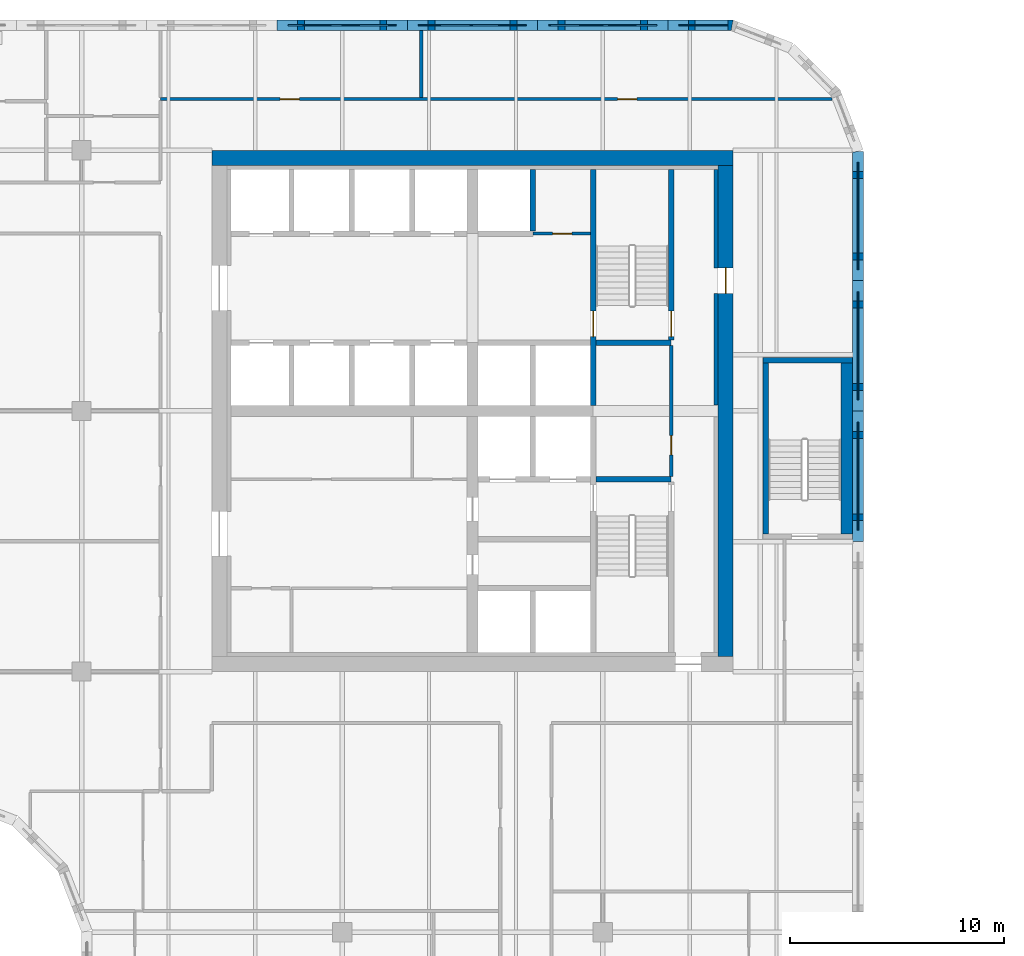
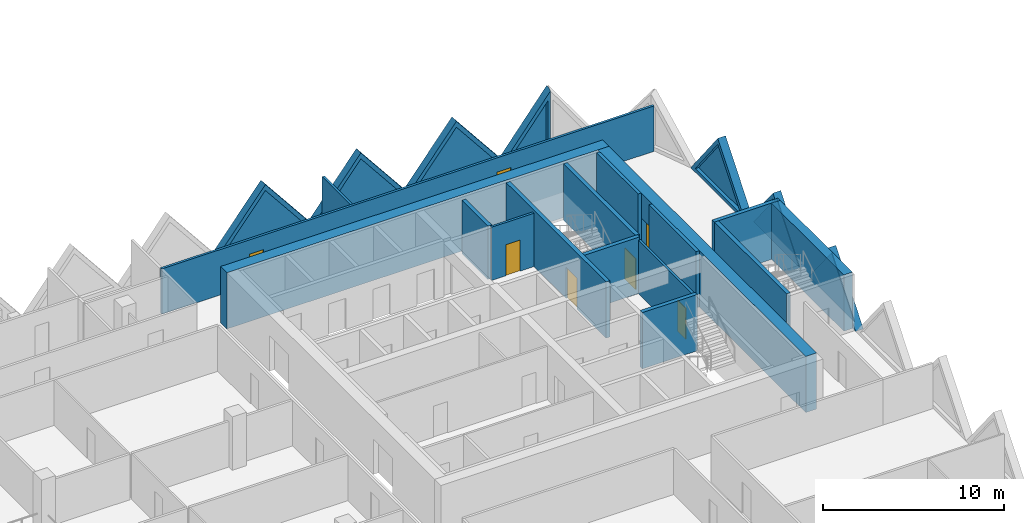
# One storey, part 10 of 17: 23 walls, 7 doors, 7 plates, 14 openings.
"""IFC4 building model written with IfcOpenShell, lengths in metres."""

from ifc_helpers import new_model, si_unit, direction, frame, frame_2d, origin, place, context, subcontext, project, spatial, polyline, rectangle, outline, extrude, faceted_brep, source, transform, mapped, material, layer, layer_set, type_object, element, fill, save


model = new_model("IFC4")

# Units and contexts
model_context = context("Model", 3, precision=1e-05, world=origin(), true_north=direction((0.0, 1.0)))
body_context = subcontext(model_context, "Body", "Model", "MODEL_VIEW")
ifc_project = project(units=[si_unit("LENGTHUNIT", "METRE"), si_unit("AREAUNIT", "SQUARE_METRE"), si_unit("VOLUMEUNIT", "CUBIC_METRE"), si_unit("PLANEANGLEUNIT", "RADIAN"), si_unit("MASSUNIT", "GRAM", prefix="KILO")], contexts=[model_context])

# Site, building, storey
site_placement = place(None, origin())
site = spatial("IfcSite", under=ifc_project, at=site_placement, CompositionType="ELEMENT")
building_placement = place(site_placement, origin())
building = spatial("IfcBuilding", under=site, at=building_placement, Name="Tessera Gate Towers", CompositionType="ELEMENT")
storey_placement = place(building_placement, frame((0.0, 0.0, 112.60009765625)))
storey = spatial("IfcBuildingStorey", under=building, at=storey_placement, Name="L27", CompositionType="ELEMENT", Elevation=112.60009765625)

# Wall, opening, door
ifc_material_1 = material(Name="Concrete C40/50", Category="concrete")
ifc_layer_1 = layer(ifc_material_1, 0.25)
ifc_layer_set_1 = layer_set([ifc_layer_1], Name="CORE ENCLOSURE WALL 250")
wall_type_1 = type_object("IfcWallType", Name="CORE ENCLOSURE WALL 250", PredefinedType="SOLIDWALL", material=ifc_layer_set_1)
wall_1_placement = place(storey_placement, frame((48.35009765625, 47.89990234375, 0.0), z_axis=(0.0, 0.0, 1.0), x_axis=(0.0, -1.0, 0.0)))
wall_1 = element("IfcWall", 1, at=wall_1_placement, inside=storey, type_object=wall_type_1, Name="L27 shaft and stair enclosure wall", PredefinedType="SOLIDWALL", context=body_context, shape_type="SweptSolid", body=[
    extrude(rectangle(XDim=11.0498046875, YDim=0.25, at=frame_2d((5.52490234375, 0.0))), origin(), (0.0, 0.0, 1.0), 3.7998046875),
])
shared_shape_1 = source(origin(), body_context, "Body", "SweptSolid", [
    extrude(rectangle(XDim=1.199951171875, YDim=2.10009765625, at=frame_2d((0.60009765625, 1.050048828125))), frame((0.0, 0.135009765625, 0.0), z_axis=(0.0, -1.0, 0.0), x_axis=(1.0, 0.0, 0.0)), (0.0, 0.0, 1.0), 0.27001953125),
])
opening_1_placement = place(wall_1_placement, frame((6.625, 0.0, 0.0)))
opening_1 = element("IfcOpeningElement", 2, at=opening_1_placement, cuts=wall_1, Name="Opening SD-ST2-1", PredefinedType="OPENING", context=body_context, shape_type="MappedRepresentation", body=[
    mapped(shared_shape_1, transform((0.0, 0.0, 0.0), scale=1.0)),
])
ifc_material_2 = material(Name="Hollow steel fire door", Category="steel")
door_type_1 = type_object("IfcDoorType", Name="CORE DOOR SD 1200x2100", OperationType="NOTDEFINED", PredefinedType="DOOR", material=ifc_material_2)
shared_shape_2 = source(origin(), body_context, "Body", "SweptSolid", [
    extrude(rectangle(XDim=1.199951171875, YDim=2.10009765625, at=frame_2d((0.60009765625, 1.050048828125))), frame((0.0, 0.02490234375, 0.0), z_axis=(0.0, -1.0, 0.0), x_axis=(1.0, 0.0, 0.0)), (0.0, 0.0, 1.0), 0.050048828125),
])
door_1_placement = place(opening_1_placement, origin())
door_1 = element("IfcDoor", 3, at=door_1_placement, inside=storey, type_object=door_type_1, Name="Stair door", OperationType="SINGLE_SWING_RIGHT", OverallHeight=2.10009765625, OverallWidth=1.199951171875, PredefinedType="DOOR", context=body_context, shape_type="MappedRepresentation", body=[
    mapped(shared_shape_2, transform((0.0, 0.0, 0.0), scale=1.0)),
])
fill(opening_1, door_1)

# Walls
for number, where, z_axis, x_axis, name in (
    (4, (48.47509765625, 39.800048828125, 0.0), (0.0, 0.0, 1.0), (1.0, 0.0, 0.0), "L27 shaft and stair enclosure wall"),
    (5, (48.47509765625, 33.39990234375, 0.0), (0.0, 0.0, 1.0), (1.0, 0.0, 0.0), "L27 shaft and stair enclosure wall"),
):
    element("IfcWall", number, at=place(storey_placement, frame(where, z_axis=z_axis, x_axis=x_axis)), inside=storey, type_object=wall_type_1, Name=name, PredefinedType="SOLIDWALL", context=body_context, shape_type="SweptSolid", body=[
        extrude(rectangle(XDim=3.52490234375, YDim=0.25, at=frame_2d((1.762451171875, 0.0))), origin(), (0.0, 0.0, 1.0), 3.7998046875),
    ])

# Wall, opening, door
wall_2_placement = place(storey_placement, frame((52.0, 39.925048828125, 0.0), z_axis=(0.0, 0.0, 1.0), x_axis=(0.0, 1.0, 0.0)))
wall_2 = element("IfcWall", 6, at=wall_2_placement, inside=storey, type_object=wall_type_1, Name="L27 shaft and stair enclosure wall", PredefinedType="SOLIDWALL", context=body_context, shape_type="SweptSolid", body=[
    extrude(rectangle(XDim=7.974853515625, YDim=0.25, at=frame_2d((3.9873046875, 0.0))), origin(), (0.0, 0.0, 1.0), 3.7998046875),
])
opening_2_placement = place(wall_2_placement, frame((0.14990234375, 0.0, 0.0)))
opening_2 = element("IfcOpeningElement", 7, at=opening_2_placement, cuts=wall_2, Name="Opening SD-ST2-2", PredefinedType="OPENING", context=body_context, shape_type="MappedRepresentation", body=[
    mapped(shared_shape_1, transform((0.0, 0.0, 0.0), scale=1.0)),
])
door_2_placement = place(opening_2_placement, origin())
door_2 = element("IfcDoor", 8, at=door_2_placement, inside=storey, type_object=door_type_1, Name="Stair door", OperationType="SINGLE_SWING_LEFT", OverallHeight=2.10009765625, OverallWidth=1.199951171875, PredefinedType="DOOR", context=body_context, shape_type="MappedRepresentation", body=[
    mapped(shared_shape_2, transform((0.0, 0.0, 0.0), scale=1.0)),
])
fill(opening_2, door_2)

# Walls
wall_3_placement = place(storey_placement, frame((45.52490234375, 45.02490234375, 0.0), z_axis=(0.0, 0.0, 1.0), x_axis=(0.0, 1.0, 0.0)))
element("IfcWall", 9, at=wall_3_placement, inside=storey, type_object=wall_type_1, Name="L27 shaft and stair enclosure wall", PredefinedType="SOLIDWALL", context=body_context, shape_type="SweptSolid", body=[
    extrude(rectangle(XDim=2.875, YDim=0.25, at=frame_2d((1.4375, 0.0))), origin(), (0.0, 0.0, 1.0), 3.599853515625),
])
wall_4_placement = place(storey_placement, frame((56.425048828125, 30.85009765625, 0.0), z_axis=(0.0, 0.0, 1.0), x_axis=(0.0, 1.0, 0.0)))
element("IfcWall", 10, at=wall_4_placement, inside=storey, type_object=wall_type_1, Name="L27 ST5 enclosure wall", PredefinedType="SOLIDWALL", context=body_context, shape_type="SweptSolid", body=[
    extrude(rectangle(XDim=8.0, YDim=0.25, at=frame_2d((4.0, 0.0))), origin(), (0.0, 0.0, 1.0), 3.7998046875),
])
wall_5_placement = place(storey_placement, frame((56.300048828125, 38.97509765625, 0.0), z_axis=(0.0, 0.0, 1.0), x_axis=(1.0, 0.0, 0.0)))
element("IfcWall", 11, at=wall_5_placement, inside=storey, type_object=wall_type_1, Name="L27 ST5 enclosure wall", PredefinedType="SOLIDWALL", context=body_context, shape_type="SweptSolid", body=[
    extrude(rectangle(XDim=4.199951171875, YDim=0.25, at=frame_2d((2.10009765625, 0.0))), origin(), (0.0, 0.0, 1.0), 3.7998046875),
])
ifc_material_3 = material(Name="Concrete C40/50", Category="concrete")
ifc_layer_2 = layer(ifc_material_3, 0.550048828125)
ifc_layer_set_2 = layer_set([ifc_layer_2], Name="CORE ENCLOSURE WALL 550")
wall_type_2 = type_object("IfcWallType", Name="CORE ENCLOSURE WALL 550", PredefinedType="SOLIDWALL", material=ifc_layer_set_2)
wall_6_placement = place(storey_placement, frame((60.22509765625, 38.85009765625, 0.0), z_axis=(0.0, 0.0, 1.0), x_axis=(0.0, -1.0, 0.0)))
element("IfcWall", 12, at=wall_6_placement, inside=storey, type_object=wall_type_2, Name="L27 ST5 enclosure wall", PredefinedType="SOLIDWALL", context=body_context, shape_type="SweptSolid", body=[
    extrude(rectangle(XDim=8.0, YDim=0.550048828125, at=frame_2d((4.0, 0.0))), origin(), (0.0, 0.0, 1.0), 3.7998046875),
])
ifc_material_4 = material(Name="Concrete C60/75", Category="concrete")
ifc_layer_3 = layer(ifc_material_4, 0.699951171875)
ifc_layer_set_3 = layer_set([ifc_layer_3], Name="CORE SHEAR WALL 700 C60/75")
wall_type_3 = type_object("IfcWallType", Name="CORE SHEAR WALL 700 C60/75", PredefinedType="SHEAR", material=ifc_layer_set_3)
wall_7_placement = place(storey_placement, frame((30.5, 48.449951171875, 0.0), z_axis=(0.0, 0.0, 1.0), x_axis=(1.0, 0.0, 0.0)))
element("IfcWall", 13, at=wall_7_placement, inside=storey, type_object=wall_type_3, Name="Core wall N L27", PredefinedType="SHEAR", context=body_context, shape_type="SweptSolid", body=[
    extrude(rectangle(XDim=24.39990234375, YDim=0.699951171875, at=frame_2d((12.199951171875, 0.0))), origin(), (0.0, 0.0, 1.0), 3.7998046875),
])

# Wall, opening, door
wall_8_placement = place(storey_placement, frame((54.550048828125, 48.10009765625, 0.0), z_axis=(0.0, 0.0, 1.0), x_axis=(0.0, -1.0, 0.0)))
wall_8 = element("IfcWall", 14, at=wall_8_placement, inside=storey, type_object=wall_type_3, Name="Core wall E L27", PredefinedType="SHEAR", context=body_context, shape_type="SweptSolid", body=[
    extrude(rectangle(XDim=23.0, YDim=0.699951171875, at=frame_2d((11.5, 0.0))), origin(), (0.0, 0.0, 1.0), 3.7998046875),
])
shared_shape_3 = source(origin(), body_context, "Body", "SweptSolid", [
    extrude(rectangle(XDim=1.199951171875, YDim=2.10009765625, at=frame_2d((0.60009765625, 1.050048828125))), frame((0.0, 0.35986328125, 0.0), z_axis=(0.0, -1.0, 0.0), x_axis=(1.0, 0.0, 0.0)), (0.0, 0.0, 1.0), 0.719970703125),
])
opening_3_placement = place(wall_8_placement, frame((4.800048828125, 0.0, 0.0)))
opening_3 = element("IfcOpeningElement", 15, at=opening_3_placement, cuts=wall_8, Name="Opening ED-T1-19-04", PredefinedType="OPENING", context=body_context, shape_type="MappedRepresentation", body=[
    mapped(shared_shape_3, transform((0.0, 0.0, 0.0), scale=1.0)),
])
ifc_material_5 = material(Name="Hollow steel fire door", Category="steel")
door_type_2 = type_object("IfcDoorType", Name="CORE DOOR ED 1200x2100", OperationType="NOTDEFINED", PredefinedType="DOOR", material=ifc_material_5)
door_3_placement = place(opening_3_placement, origin())
door_3 = element("IfcDoor", 16, at=door_3_placement, inside=storey, type_object=door_type_2, Name="Core exit door", OperationType="SINGLE_SWING_LEFT", OverallHeight=2.10009765625, OverallWidth=1.199951171875, PredefinedType="DOOR", context=body_context, shape_type="MappedRepresentation", body=[
    mapped(shared_shape_2, transform((0.0, 0.0, 0.0), scale=1.0)),
])
fill(opening_3, door_3)

# Walls
ifc_material_6 = material(Name="Concrete C60/75", Category="concrete")
ifc_layer_4 = layer(ifc_material_6, 0.199951171875)
ifc_layer_set_4 = layer_set([ifc_layer_4], Name="CORE WALL THICKENING 200")
wall_type_4 = type_object("IfcWallType", Name="CORE WALL THICKENING 200", PredefinedType="SOLIDWALL", material=ifc_layer_set_4)
wall_9_placement = place(storey_placement, frame((54.10009765625, 36.8798828125, 0.0), z_axis=(0.0, 0.0, 1.0), x_axis=(0.0, 1.0, 0.0)))
element("IfcWall", 17, at=wall_9_placement, inside=storey, type_object=wall_type_4, Name="Core wall thickening E L27", PredefinedType="SOLIDWALL", context=body_context, shape_type="SweptSolid", body=[
    extrude(rectangle(XDim=5.22021484375, YDim=0.199951171875, at=frame_2d((2.610107421875, 0.0))), origin(), (0.0, 0.0, 1.0), 3.7998046875),
])
wall_10_placement = place(storey_placement, frame((54.10009765625, 43.300048828125, 0.0), z_axis=(0.0, 0.0, 1.0), x_axis=(0.0, 1.0, 0.0)))
element("IfcWall", 18, at=wall_10_placement, inside=storey, type_object=wall_type_4, Name="Core wall thickening E L27", PredefinedType="SOLIDWALL", context=body_context, shape_type="SweptSolid", body=[
    extrude(rectangle(XDim=4.599853515625, YDim=0.199951171875, at=frame_2d((2.2998046875, 0.0))), origin(), (0.0, 0.0, 1.0), 3.7998046875),
])

# Wall, openings, doors
ifc_material_7 = material(Name="Gypsum board on steel studs, mineral wool", Category="steel")
ifc_layer_5 = layer(ifc_material_7, 0.14990234375)
ifc_layer_set_5 = layer_set([ifc_layer_5], Name="CORRIDOR WALL 150")
wall_type_5 = type_object("IfcWallType", Name="CORRIDOR WALL 150", PredefinedType="PARTITIONING", material=ifc_layer_set_5)
wall_11_placement = place(storey_placement, frame((28.10009765625, 51.199951171875, 0.0), z_axis=(0.0, 0.0, 1.0), x_axis=(1.0, 0.0, 0.0)))
wall_11 = element("IfcWall", 19, at=wall_11_placement, inside=storey, type_object=wall_type_5, Name="T1-L27-PW-055", PredefinedType="PARTITIONING", context=body_context, shape_type="SweptSolid", body=[
    extrude(rectangle(XDim=31.438232421875, YDim=0.14990234375, at=frame_2d((15.71923828125, 0.0))), origin(), (0.0, 0.0, 1.0), 3.06689453125),
])
shared_shape_4 = source(origin(), body_context, "Body", "SweptSolid", [
    extrude(rectangle(XDim=0.89990234375, YDim=2.10009765625, at=frame_2d((0.449951171875, 1.050048828125))), frame((0.0, 0.0849609375, 0.0), z_axis=(0.0, -1.0, 0.0), x_axis=(1.0, 0.0, 0.0)), (0.0, 0.0, 1.0), 0.169921875),
])
opening_4_placement = place(wall_11_placement, frame((5.60009765625, 0.0, 0.0)))
opening_4 = element("IfcOpeningElement", 20, at=opening_4_placement, cuts=wall_11, Name="Opening D890FD60-A10-08", PredefinedType="OPENING", context=body_context, shape_type="MappedRepresentation", body=[
    mapped(shared_shape_4, transform((0.0, 0.0, 0.0), scale=1.0)),
])
opening_5_placement = place(wall_11_placement, frame((21.39990234375, 0.0, 0.0)))
opening_5 = element("IfcOpeningElement", 21, at=opening_5_placement, cuts=wall_11, Name="Opening D890FD60-A10-09", PredefinedType="OPENING", context=body_context, shape_type="MappedRepresentation", body=[
    mapped(shared_shape_4, transform((0.0, 0.0, 0.0), scale=1.0)),
])
ifc_material_8 = material(Name="Timber door leaf in steel frame", Category="steel")
door_type_3 = type_object("IfcDoorType", Name="CORRIDOR DOOR 900 FD60", OperationType="NOTDEFINED", PredefinedType="DOOR", material=ifc_material_8)
shared_shape_5 = source(origin(), body_context, "Body", "SweptSolid", [
    extrude(rectangle(XDim=0.89990234375, YDim=2.10009765625, at=frame_2d((0.449951171875, 1.050048828125))), frame((0.0, 0.02490234375, 0.0), z_axis=(0.0, -1.0, 0.0), x_axis=(1.0, 0.0, 0.0)), (0.0, 0.0, 1.0), 0.050048828125),
])
door_4_placement = place(opening_4_placement, origin())
door_4 = element("IfcDoor", 22, at=door_4_placement, inside=storey, type_object=door_type_3, Name="T1-L27-PD-027", OperationType="SINGLE_SWING_LEFT", OverallHeight=2.10009765625, OverallWidth=0.89990234375, PredefinedType="DOOR", context=body_context, shape_type="MappedRepresentation", body=[
    mapped(shared_shape_5, transform((0.0, 0.0, 0.0), scale=1.0)),
])
fill(opening_4, door_4)
door_5_placement = place(opening_5_placement, origin())
door_5 = element("IfcDoor", 23, at=door_5_placement, inside=storey, type_object=door_type_3, Name="T1-L27-PD-028", OperationType="SINGLE_SWING_LEFT", OverallHeight=2.10009765625, OverallWidth=0.89990234375, PredefinedType="DOOR", context=body_context, shape_type="MappedRepresentation", body=[
    mapped(shared_shape_5, transform((0.0, 0.0, 0.0), scale=1.0)),
])
fill(opening_5, door_5)

# Wall, opening, door
ifc_material_9 = material(Name="Gypsum board on steel studs", Category="steel")
ifc_layer_6 = layer(ifc_material_9, 0.14990234375)
ifc_layer_set_6 = layer_set([ifc_layer_6], Name="SERVICE ROOM WALL 150")
wall_type_6 = type_object("IfcWallType", Name="SERVICE ROOM WALL 150", PredefinedType="PARTITIONING", material=ifc_layer_set_6)
wall_12_placement = place(storey_placement, frame((52.0, 33.52490234375, 0.0), z_axis=(0.0, 0.0, 1.0), x_axis=(0.0, 1.0, 0.0)))
wall_12 = element("IfcWall", 24, at=wall_12_placement, inside=storey, type_object=wall_type_6, Name="L27 service room wall", PredefinedType="PARTITIONING", context=body_context, shape_type="SweptSolid", body=[
    extrude(rectangle(XDim=6.150146484375, YDim=0.14990234375, at=frame_2d((3.0751953125, 0.0))), origin(), (0.0, 0.0, 1.0), 3.599853515625),
])
opening_6_placement = place(wall_12_placement, frame((1.02490234375, 0.0, 0.0)))
opening_6 = element("IfcOpeningElement", 25, at=opening_6_placement, cuts=wall_12, Name="Opening RD-T1-19-10", PredefinedType="OPENING", context=body_context, shape_type="MappedRepresentation", body=[
    mapped(shared_shape_4, transform((0.0, 0.0, 0.0), scale=1.0)),
])
ifc_material_10 = material(Name="Hollow steel fire door", Category="steel")
door_type_4 = type_object("IfcDoorType", Name="CORE DOOR RD 900x2100", OperationType="NOTDEFINED", PredefinedType="DOOR", material=ifc_material_10)
door_6_placement = place(opening_6_placement, origin())
door_6 = element("IfcDoor", 26, at=door_6_placement, inside=storey, type_object=door_type_4, Name="Core room door", OperationType="SINGLE_SWING_LEFT", OverallHeight=2.10009765625, OverallWidth=0.89990234375, PredefinedType="DOOR", context=body_context, shape_type="MappedRepresentation", body=[
    mapped(shared_shape_5, transform((0.0, 0.0, 0.0), scale=1.0)),
])
fill(opening_6, door_6)

wall_13_placement = place(storey_placement, frame((45.52490234375, 44.89990234375, 0.0), z_axis=(0.0, 0.0, 1.0), x_axis=(1.0, 0.0, 0.0)))
wall_13 = element("IfcWall", 27, at=wall_13_placement, inside=storey, type_object=wall_type_6, Name="L27 service room wall", PredefinedType="PARTITIONING", context=body_context, shape_type="SweptSolid", body=[
    extrude(rectangle(XDim=2.7001953125, YDim=0.14990234375, at=frame_2d((1.35009765625, 0.0))), origin(), (0.0, 0.0, 1.0), 3.599853515625),
])
opening_7_placement = place(wall_13_placement, frame((0.925048828125, 0.0, 0.0)))
opening_7 = element("IfcOpeningElement", 28, at=opening_7_placement, cuts=wall_13, Name="Opening RD-T1-19-11", PredefinedType="OPENING", context=body_context, shape_type="MappedRepresentation", body=[
    mapped(shared_shape_4, transform((0.0, 0.0, 0.0), scale=1.0)),
])
door_7_placement = place(opening_7_placement, origin())
door_7 = element("IfcDoor", 29, at=door_7_placement, inside=storey, type_object=door_type_4, Name="Core room door", OperationType="SINGLE_SWING_RIGHT", OverallHeight=2.10009765625, OverallWidth=0.89990234375, PredefinedType="DOOR", context=body_context, shape_type="MappedRepresentation", body=[
    mapped(shared_shape_5, transform((0.0, 0.0, 0.0), scale=1.0)),
])
fill(opening_7, door_7)

# Wall
ifc_material_11 = material(Name="Gypsum board on steel studs, mineral wool", Category="steel")
ifc_layer_7 = layer(ifc_material_11, 0.14990234375)
ifc_layer_set_7 = layer_set([ifc_layer_7], Name="TENANCY WALL 150")
wall_type_7 = type_object("IfcWallType", Name="TENANCY WALL 150", PredefinedType="PARTITIONING", material=ifc_layer_set_7)
wall_14_placement = place(storey_placement, frame((40.300048828125, 51.27587890625, 0.0), z_axis=(0.0, 0.0, 1.0), x_axis=(0.0, 1.0, 0.0)))
element("IfcWall", 30, at=wall_14_placement, inside=storey, type_object=wall_type_7, Name="T1-L27-PW-057", PredefinedType="PARTITIONING", context=body_context, shape_type="SweptSolid", body=[
    extrude(rectangle(XDim=3.1240234375, YDim=0.14990234375, at=frame_2d((1.56201171875, 0.0))), origin(), (0.0, 0.0, 1.0), 3.06689453125),
])

# Wall, opening, plate
ifc_material_12 = material(Name="Precast concrete C60/75 white", Category="concrete")
ifc_layer_8 = layer(ifc_material_12, 0.5)
ifc_layer_set_8 = layer_set([ifc_layer_8], Name="TS3 corner tessera")
wall_type_8 = type_object("IfcWallType", Name="TS3 corner tessera", PredefinedType="SOLIDWALL", material=ifc_layer_set_8)
shared_shape_6 = source(origin(), body_context, "Body", "Brep", [
    faceted_brep([(3.050048828125, -0.25, 0.0), (0.046630859375, -0.25, 3.7998046875), (0.0, -0.25, 3.73974609375), (0.0, -0.25, 0.0), (0.09326171875, 0.25, 3.740966796875), (3.050048828125, 0.25, 0.0), (0.09326171875, 0.25, 0.0), (0.046630859375, 0.0, 3.7998046875)], [[[0, 1, 2, 3]], [[4, 5, 6]], [[5, 4, 7, 1, 0]], [[2, 1, 7]], [[6, 5, 0, 3]], [[6, 3, 2, 7, 4]]]),
])
wall_15_placement = place(storey_placement, frame((54.900146484375, 54.64990234375, 0.0), z_axis=(0.0, 0.0, 1.0), x_axis=(-1.0, 0.0, 0.0)))
wall_15 = element("IfcWall", 31, at=wall_15_placement, inside=storey, type_object=wall_type_8, Name="Precast corner tessera T1 TS3-0610", PredefinedType="SOLIDWALL", context=body_context, shape_type="MappedRepresentation", body=[
    mapped(shared_shape_6, transform((0.0, 0.0, 0.0), scale=1.0)),
])
shared_shape_7 = source(origin(), body_context, "Body", "SweptSolid", [
    extrude(outline(polyline([(2.533935546875, 0.25), (0.24658203125, 3.143798828125), (0.24658203125, 0.25), (2.533935546875, 0.25)])), frame((0.0, 0.260009765625, 0.0), z_axis=(0.0, -1.0, 0.0), x_axis=(1.0, 0.0, 0.0)), (0.0, 0.0, 1.0), 0.52001953125),
])
opening_8_placement = place(wall_15_placement, origin())
opening_8 = element("IfcOpeningElement", 32, at=opening_8_placement, cuts=wall_15, Name="Opening T1-PL1-0301", PredefinedType="OPENING", context=body_context, shape_type="MappedRepresentation", body=[
    mapped(shared_shape_7, transform((0.0, 0.0, 0.0), scale=1.0)),
])
ifc_material_13 = material(Name="Low-e laminated glass", Category="glass")
ifc_layer_9 = layer(ifc_material_13, 0.06005859375)
ifc_layer_set_9 = layer_set([ifc_layer_9], Name="PL1 triangular pane")
plate_type = type_object("IfcPlateType", Name="PL1 triangular pane", PredefinedType="SHEET", material=ifc_layer_set_9)
shared_shape_8 = source(origin(), body_context, "Body", "SweptSolid", [
    extrude(outline(polyline([(2.533935546875, 0.25), (0.24658203125, 3.143798828125), (0.24658203125, 0.25), (2.533935546875, 0.25)])), frame((0.0, 0.030029296875, 0.0), z_axis=(0.0, -1.0, 0.0), x_axis=(1.0, 0.0, 0.0)), (0.0, 0.0, 1.0), 0.06005859375),
])
plate_1_placement = place(opening_8_placement, origin())
plate_1 = element("IfcPlate", 33, at=plate_1_placement, inside=storey, type_object=plate_type, Name="Glass pane T1 PL1-0301", PredefinedType="SHEET", context=body_context, shape_type="MappedRepresentation", body=[
    mapped(shared_shape_8, transform((0.0, 0.0, 0.0), scale=1.0)),
])
fill(opening_8, plate_1)

ifc_material_14 = material(Name="Precast concrete C60/75 white", Category="concrete")
ifc_layer_10 = layer(ifc_material_14, 0.5)
ifc_layer_set_10 = layer_set([ifc_layer_10], Name="TS2 half tessera")
wall_type_9 = type_object("IfcWallType", Name="TS2 half tessera", PredefinedType="SOLIDWALL", material=ifc_layer_set_10)
shared_shape_9 = source(origin(), body_context, "Body", "Brep", [
    faceted_brep([(6.099853515625, -0.25, 0.000244140625), (3.050048828125, -0.25, 3.7998046875), (0.0, -0.25, 0.0), (6.099853515625, -0.25, 0.0), (0.0, 0.25, 0.0), (3.050048828125, 0.25, 3.7998046875), (6.099853515625, 0.25, 0.000244140625), (6.099853515625, 0.25, 0.0)], [[[0, 1, 2, 3]], [[4, 5, 6, 7]], [[6, 5, 1, 0]], [[5, 4, 2, 1]], [[4, 7, 3, 2]], [[3, 7, 6, 0]]]),
])
wall_16_placement = place(storey_placement, frame((60.75, 36.60009765625, 0.0), z_axis=(0.0, 0.0, 1.0), x_axis=(0.0, 1.0, 0.0)))
wall_16 = element("IfcWall", 34, at=wall_16_placement, inside=storey, type_object=wall_type_9, Name="Precast half tessera T1 TS2-0146", PredefinedType="SOLIDWALL", context=body_context, shape_type="MappedRepresentation", body=[
    mapped(shared_shape_9, transform((0.0, 0.0, 0.0), scale=1.0)),
])
shared_shape_10 = source(origin(), body_context, "Body", "SweptSolid", [
    extrude(outline(polyline([(5.578857421875, 0.25), (3.050048828125, 3.400390625), (0.521240234375, 0.25), (5.578857421875, 0.25)])), frame((0.0, 0.260009765625, 0.0), z_axis=(0.0, -1.0, 0.0), x_axis=(1.0, 0.0, 0.0)), (0.0, 0.0, 1.0), 0.52001953125),
])
opening_9_placement = place(wall_16_placement, origin())
opening_9 = element("IfcOpeningElement", 35, at=opening_9_placement, cuts=wall_16, Name="Opening T1-PL1-0296", PredefinedType="OPENING", context=body_context, shape_type="MappedRepresentation", body=[
    mapped(shared_shape_10, transform((0.0, 0.0, 0.0), scale=1.0)),
])
shared_shape_11 = source(origin(), body_context, "Body", "SweptSolid", [
    extrude(outline(polyline([(5.578857421875, 0.25), (3.050048828125, 3.400390625), (0.521240234375, 0.25), (5.578857421875, 0.25)])), frame((0.0, 0.030029296875, 0.0), z_axis=(0.0, -1.0, 0.0), x_axis=(1.0, 0.0, 0.0)), (0.0, 0.0, 1.0), 0.06005859375),
])
plate_2_placement = place(opening_9_placement, origin())
plate_2 = element("IfcPlate", 36, at=plate_2_placement, inside=storey, type_object=plate_type, Name="Glass pane T1 PL1-0296", PredefinedType="SHEET", context=body_context, shape_type="MappedRepresentation", body=[
    mapped(shared_shape_11, transform((0.0, 0.0, 0.0), scale=1.0)),
])
fill(opening_9, plate_2)

wall_17_placement = place(storey_placement, frame((39.64990234375, 54.64990234375, 0.0), z_axis=(0.0, 0.0, 1.0), x_axis=(-1.0, 0.0, 0.0)))
wall_17 = element("IfcWall", 37, at=wall_17_placement, inside=storey, type_object=wall_type_9, Name="Precast half tessera T1 TS2-0150", PredefinedType="SOLIDWALL", context=body_context, shape_type="MappedRepresentation", body=[
    mapped(shared_shape_9, transform((0.0, 0.0, 0.0), scale=1.0)),
])
opening_10_placement = place(wall_17_placement, origin())
opening_10 = element("IfcOpeningElement", 38, at=opening_10_placement, cuts=wall_17, Name="Opening T1-PL1-0304", PredefinedType="OPENING", context=body_context, shape_type="MappedRepresentation", body=[
    mapped(shared_shape_10, transform((0.0, 0.0, 0.0), scale=1.0)),
])
plate_3_placement = place(opening_10_placement, origin())
plate_3 = element("IfcPlate", 39, at=plate_3_placement, inside=storey, type_object=plate_type, Name="Glass pane T1 PL1-0304", PredefinedType="SHEET", context=body_context, shape_type="MappedRepresentation", body=[
    mapped(shared_shape_11, transform((0.0, 0.0, 0.0), scale=1.0)),
])
fill(opening_10, plate_3)

shared_shape_12 = source(origin(), body_context, "Body", "SweptSolid", [
    extrude(outline(polyline([(6.10009765625, 0.0), (3.050048828125, 3.7998046875), (0.0, 0.0), (6.10009765625, 0.0)])), frame((0.0, 0.25, 0.0), z_axis=(0.0, -1.0, 0.0), x_axis=(1.0, 0.0, 0.0)), (0.0, 0.0, 1.0), 0.5),
])
wall_18_placement = place(storey_placement, frame((60.75, 30.5, 0.0), z_axis=(0.0, 0.0, 1.0), x_axis=(0.0, 1.0, 0.0)))
wall_18 = element("IfcWall", 40, at=wall_18_placement, inside=storey, type_object=wall_type_9, Name="Precast half tessera T1 TS2-0145", PredefinedType="SOLIDWALL", context=body_context, shape_type="MappedRepresentation", body=[
    mapped(shared_shape_12, transform((0.0, 0.0, 0.0), scale=1.0)),
])
opening_11_placement = place(wall_18_placement, origin())
opening_11 = element("IfcOpeningElement", 41, at=opening_11_placement, cuts=wall_18, Name="Opening T1-PL1-0295", PredefinedType="OPENING", context=body_context, shape_type="MappedRepresentation", body=[
    mapped(shared_shape_10, transform((0.0, 0.0, 0.0), scale=1.0)),
])
plate_4_placement = place(opening_11_placement, origin())
plate_4 = element("IfcPlate", 42, at=plate_4_placement, inside=storey, type_object=plate_type, Name="Glass pane T1 PL1-0295", PredefinedType="SHEET", context=body_context, shape_type="MappedRepresentation", body=[
    mapped(shared_shape_11, transform((0.0, 0.0, 0.0), scale=1.0)),
])
fill(opening_11, plate_4)

wall_19_placement = place(storey_placement, frame((51.85009765625, 54.64990234375, 0.0), z_axis=(0.0, 0.0, 1.0), x_axis=(-1.0, 0.0, 0.0)))
wall_19 = element("IfcWall", 43, at=wall_19_placement, inside=storey, type_object=wall_type_9, Name="Precast half tessera T1 TS2-0148", PredefinedType="SOLIDWALL", context=body_context, shape_type="MappedRepresentation", body=[
    mapped(shared_shape_12, transform((0.0, 0.0, 0.0), scale=1.0)),
])
opening_12_placement = place(wall_19_placement, origin())
opening_12 = element("IfcOpeningElement", 44, at=opening_12_placement, cuts=wall_19, Name="Opening T1-PL1-0302", PredefinedType="OPENING", context=body_context, shape_type="MappedRepresentation", body=[
    mapped(shared_shape_10, transform((0.0, 0.0, 0.0), scale=1.0)),
])
plate_5_placement = place(opening_12_placement, origin())
plate_5 = element("IfcPlate", 45, at=plate_5_placement, inside=storey, type_object=plate_type, Name="Glass pane T1 PL1-0302", PredefinedType="SHEET", context=body_context, shape_type="MappedRepresentation", body=[
    mapped(shared_shape_11, transform((0.0, 0.0, 0.0), scale=1.0)),
])
fill(opening_12, plate_5)

wall_20_placement = place(storey_placement, frame((45.75, 54.64990234375, 0.0), z_axis=(0.0, 0.0, 1.0), x_axis=(-1.0, 0.0, 0.0)))
wall_20 = element("IfcWall", 46, at=wall_20_placement, inside=storey, type_object=wall_type_9, Name="Precast half tessera T1 TS2-0149", PredefinedType="SOLIDWALL", context=body_context, shape_type="MappedRepresentation", body=[
    mapped(shared_shape_12, transform((0.0, 0.0, 0.0), scale=1.0)),
])
opening_13_placement = place(wall_20_placement, origin())
opening_13 = element("IfcOpeningElement", 47, at=opening_13_placement, cuts=wall_20, Name="Opening T1-PL1-0303", PredefinedType="OPENING", context=body_context, shape_type="MappedRepresentation", body=[
    mapped(shared_shape_10, transform((0.0, 0.0, 0.0), scale=1.0)),
])
plate_6_placement = place(opening_13_placement, origin())
plate_6 = element("IfcPlate", 48, at=plate_6_placement, inside=storey, type_object=plate_type, Name="Glass pane T1 PL1-0303", PredefinedType="SHEET", context=body_context, shape_type="MappedRepresentation", body=[
    mapped(shared_shape_11, transform((0.0, 0.0, 0.0), scale=1.0)),
])
fill(opening_13, plate_6)

shared_shape_13 = source(origin(), body_context, "Body", "Brep", [
    faceted_brep([(6.053466796875, -0.25, 0.0), (3.050048828125, -0.25, 3.7998046875), (0.0, -0.25, 0.0), (0.0, 0.25, 0.0), (3.050048828125, 0.25, 3.7998046875), (6.0068359375, 0.25, 0.058837890625), (6.0068359375, 0.25, 0.0), (6.053466796875, 0.0, 0.0)], [[[0, 1, 2]], [[3, 4, 5, 6]], [[5, 4, 1, 0, 7]], [[4, 3, 2, 1]], [[3, 6, 7, 0, 2]], [[7, 6, 5]]]),
])
wall_21_placement = place(storey_placement, frame((60.75, 42.699951171875, 0.0), z_axis=(0.0, 0.0, 1.0), x_axis=(0.0, 1.0, 0.0)))
wall_21 = element("IfcWall", 49, at=wall_21_placement, inside=storey, type_object=wall_type_9, Name="Precast half tessera T1 TS2-0147", PredefinedType="SOLIDWALL", context=body_context, shape_type="MappedRepresentation", body=[
    mapped(shared_shape_13, transform((0.0, 0.0, 0.0), scale=1.0)),
])
shared_shape_14 = source(origin(), body_context, "Body", "SweptSolid", [
    extrude(outline(polyline([(5.537109375, 0.25), (3.048583984375, 3.398681640625), (0.521240234375, 0.25), (5.537109375, 0.25)])), frame((0.0, 0.260009765625, 0.0), z_axis=(0.0, -1.0, 0.0), x_axis=(1.0, 0.0, 0.0)), (0.0, 0.0, 1.0), 0.52001953125),
])
opening_14_placement = place(wall_21_placement, origin())
opening_14 = element("IfcOpeningElement", 50, at=opening_14_placement, cuts=wall_21, Name="Opening T1-PL1-0297", PredefinedType="OPENING", context=body_context, shape_type="MappedRepresentation", body=[
    mapped(shared_shape_14, transform((0.0, 0.0, 0.0), scale=1.0)),
])
shared_shape_15 = source(origin(), body_context, "Body", "SweptSolid", [
    extrude(outline(polyline([(5.537109375, 0.25), (3.048583984375, 3.398681640625), (0.521240234375, 0.25), (5.537109375, 0.25)])), frame((0.0, 0.030029296875, 0.0), z_axis=(0.0, -1.0, 0.0), x_axis=(1.0, 0.0, 0.0)), (0.0, 0.0, 1.0), 0.06005859375),
])
plate_7_placement = place(opening_14_placement, origin())
plate_7 = element("IfcPlate", 51, at=plate_7_placement, inside=storey, type_object=plate_type, Name="Glass pane T1 PL1-0297", PredefinedType="SHEET", context=body_context, shape_type="MappedRepresentation", body=[
    mapped(shared_shape_15, transform((0.0, 0.0, 0.0), scale=1.0)),
])
fill(opening_14, plate_7)

save(model, "model.ifc")
